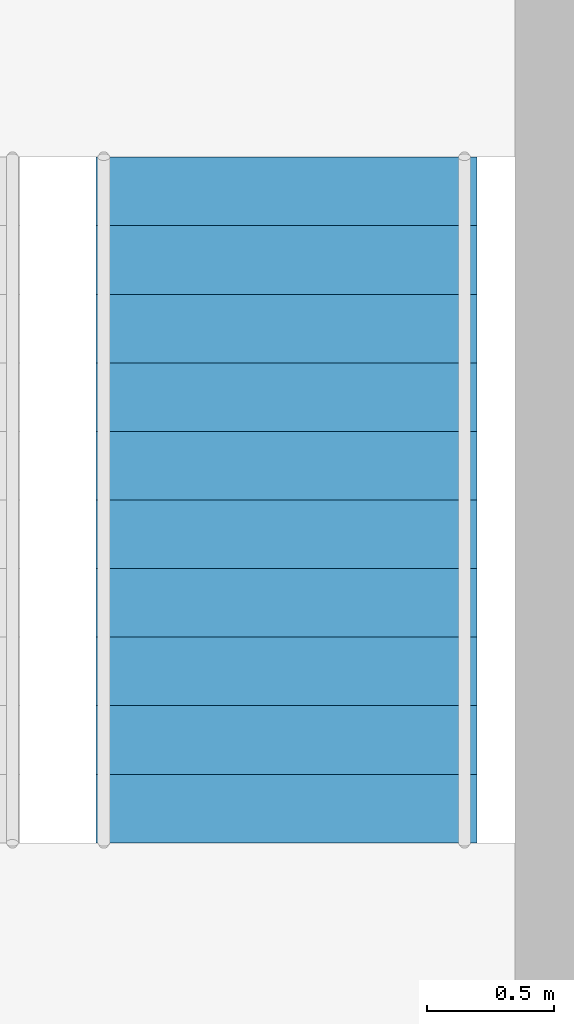
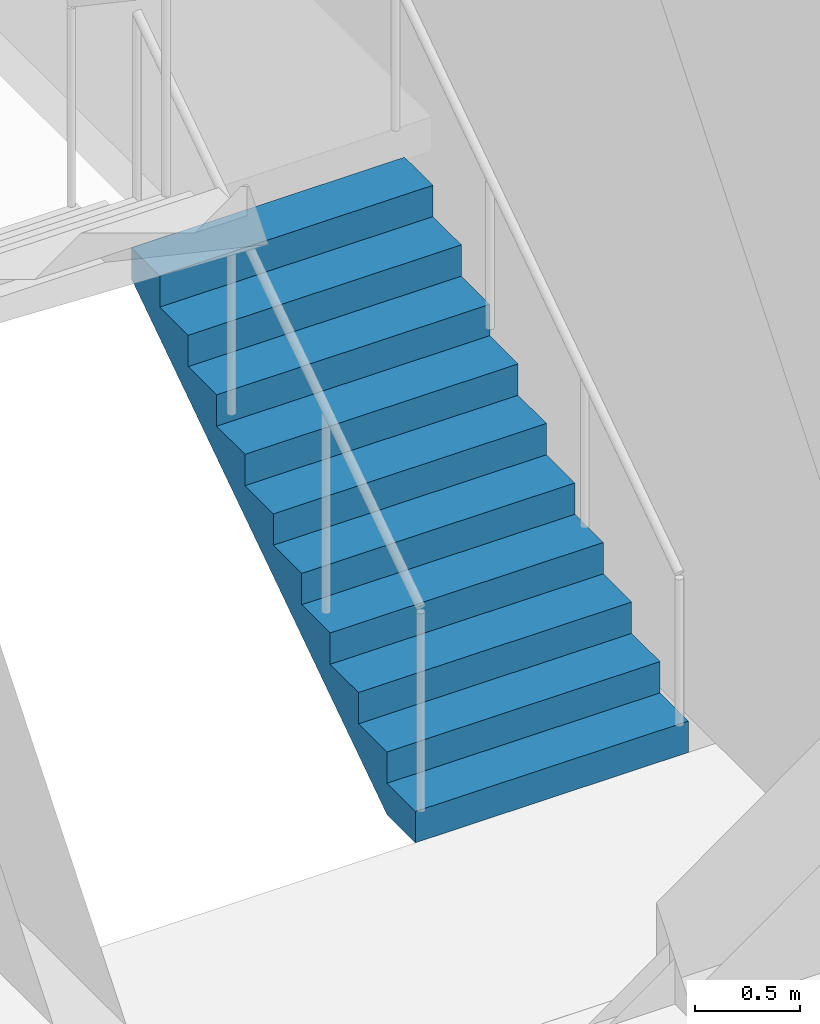
# One storey, part 14 of 15: 1 stair flight, 1 element without a shape of its own.
"""IFC4 building model written with IfcOpenShell, lengths in metres."""

from ifc_helpers import new_model, si_unit, direction, frame, origin, place, context, subcontext, project, spatial, polyline, outline, extrude, material, type_object, element, aggregate, save


model = new_model("IFC4")

# Units and contexts
model_context = context("Model", 3, precision=1e-05, world=origin(), true_north=direction((0.0, 1.0)))
body_context = subcontext(model_context, "Body", "Model", "MODEL_VIEW")
ifc_project = project(units=[si_unit("LENGTHUNIT", "METRE"), si_unit("AREAUNIT", "SQUARE_METRE"), si_unit("VOLUMEUNIT", "CUBIC_METRE"), si_unit("PLANEANGLEUNIT", "RADIAN"), si_unit("MASSUNIT", "GRAM", prefix="KILO")], contexts=[model_context])

# Site, building, storey
site_placement = place(None, origin())
site = spatial("IfcSite", under=ifc_project, at=site_placement, CompositionType="ELEMENT")
building_placement = place(site_placement, origin())
building = spatial("IfcBuilding", under=site, at=building_placement, Name="Peilmerk Tower", CompositionType="ELEMENT")
storey_placement = place(building_placement, frame((0.0, 0.0, 233.800048828125)))
storey = spatial("IfcBuildingStorey", under=building, at=storey_placement, Name="L51", CompositionType="ELEMENT", Elevation=233.800048828125)

# Stair, stair flight
ifc_material = material(Name="Precast concrete C45/55", Category="concrete")
stair_type = type_object("IfcStairType", Name="ST2 22 risers of 181.8", PredefinedType="HALF_TURN_STAIR", material=ifc_material)
stair_placement = place(storey_placement, origin())
stair = element("IfcStair", 1, at=stair_placement, inside=storey, type_object=stair_type, Name="Stair 2 L51 to L52", PredefinedType="HALF_TURN_STAIR")
stair_flight_type = type_object("IfcStairFlightType", Name="SF11 flight, 11 risers of 181.8", PredefinedType="STRAIGHT", material=ifc_material)
stair_flight_placement = place(storey_placement, frame((9.60009765625, -2.89990234375, 0.0), z_axis=(0.0, 0.0, 1.0), x_axis=(0.0, 1.0, 0.0)))
stair_flight = element("IfcStairFlight", 2, at=stair_flight_placement, type_object=stair_flight_type, Name="ST2 flight 1", NumberOfRisers=11, NumberOfTreads=10, PredefinedType="STRAIGHT", RiserHeight=0.181818182, TreadLength=0.27, context=body_context, shape_type="SweptSolid", body=[
    extrude(outline(polyline([(0.0, 0.0), (0.0, 0.181884765625), (0.27001953125, 0.181884765625), (0.27001953125, 0.363525390625), (0.5400390625, 0.363525390625), (0.5400390625, 0.54541015625), (0.81005859375, 0.54541015625), (0.81005859375, 0.727294921875), (1.080078125, 0.727294921875), (1.080078125, 0.9091796875), (1.35009765625, 0.9091796875), (1.35009765625, 1.0908203125), (1.6201171875, 1.0908203125), (1.6201171875, 1.272705078125), (1.889892578125, 1.272705078125), (1.889892578125, 1.45458984375), (2.159912109375, 1.45458984375), (2.159912109375, 1.636474609375), (2.429931640625, 1.636474609375), (2.429931640625, 1.818115234375), (2.699951171875, 1.818115234375), (2.699951171875, 2.0), (2.699951171875, 1.637451171875), (0.268310546875, 0.0), (0.0, 0.0)])), frame((0.0, 0.75, 0.0), z_axis=(0.0, -1.0, 0.0), x_axis=(1.0, 0.0, 0.0)), (0.0, 0.0, 1.0), 1.5),
])
aggregate(stair, [stair_flight])

save(model, "model.ifc")
